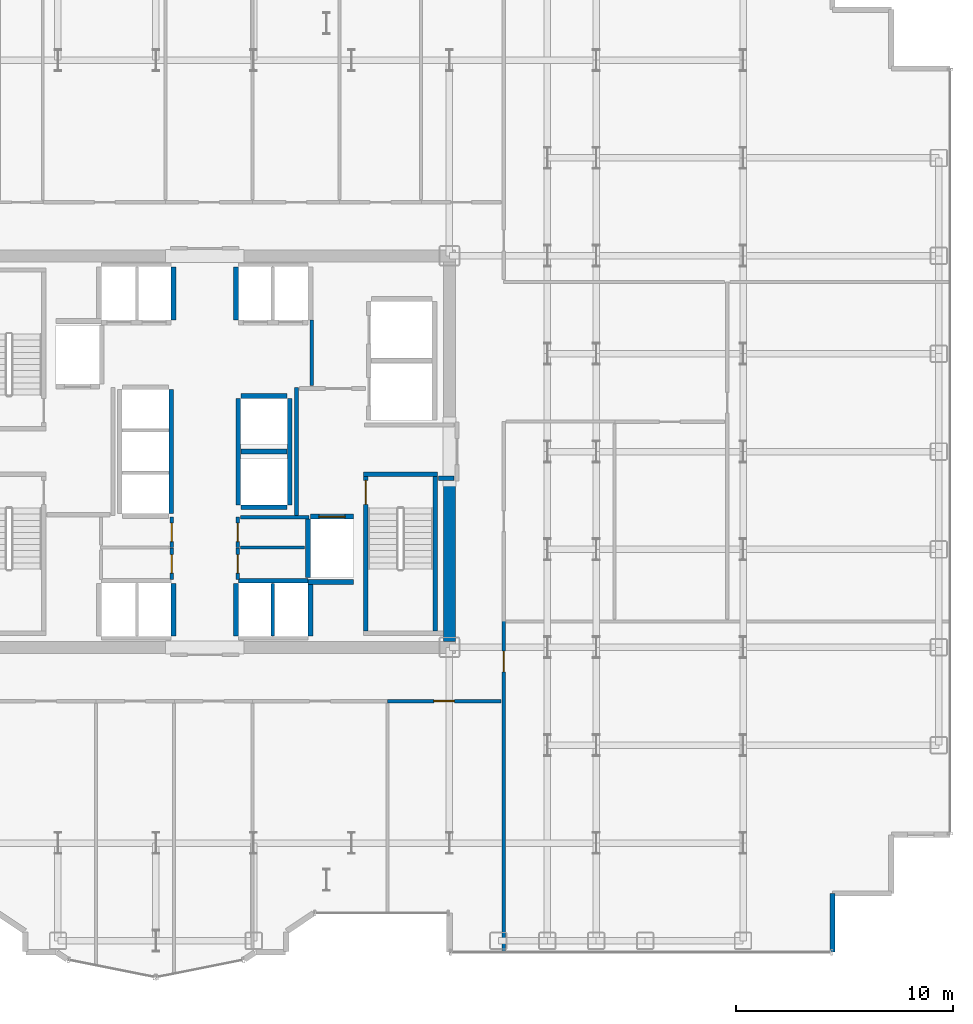
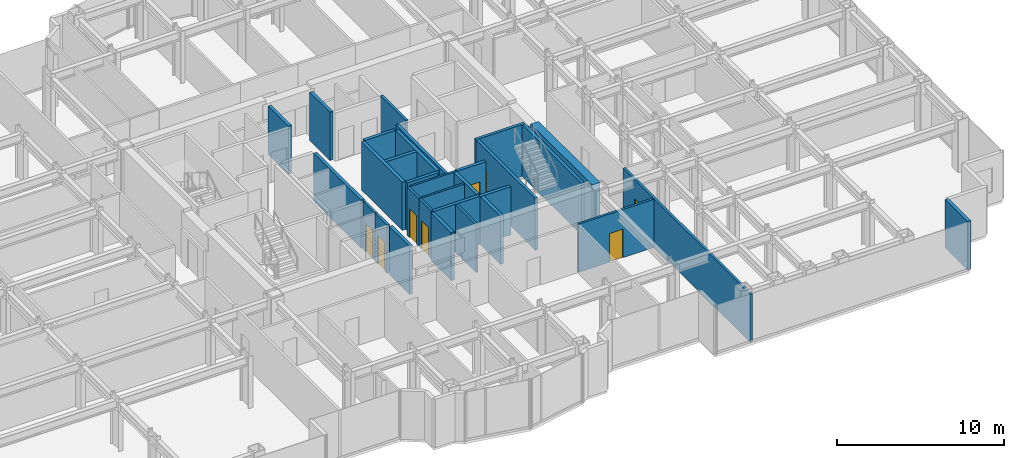
# One storey, part 22 of 26: 32 walls, 8 doors, 8 openings.
"""IFC4 building model written with IfcOpenShell, lengths in metres."""

from ifc_helpers import new_model, si_unit, direction, frame, frame_2d, origin, place, context, subcontext, project, spatial, rectangle, extrude, source, transform, mapped, material, layer, layer_set, type_object, element, fill, save


model = new_model("IFC4")

# Units and contexts
model_context = context("Model", 3, precision=1e-05, world=origin(), true_north=direction((0.0, 1.0)))
body_context = subcontext(model_context, "Body", "Model", "MODEL_VIEW")
ifc_project = project(units=[si_unit("LENGTHUNIT", "METRE"), si_unit("AREAUNIT", "SQUARE_METRE"), si_unit("VOLUMEUNIT", "CUBIC_METRE"), si_unit("PLANEANGLEUNIT", "RADIAN"), si_unit("MASSUNIT", "GRAM", prefix="KILO")], contexts=[model_context])

# Site, building, storey
site_placement = place(None, origin())
site = spatial("IfcSite", under=ifc_project, at=site_placement, CompositionType="ELEMENT")
building_placement = place(site_placement, origin())
building = spatial("IfcBuilding", under=site, at=building_placement, Name="Nefas-Gora Pilgrimage Tower", CompositionType="ELEMENT")
storey_placement = place(building_placement, frame((0.0, 0.0, 121.199951171875)))
storey = spatial("IfcBuildingStorey", under=building, at=storey_placement, Name="L29", CompositionType="ELEMENT", Elevation=121.199951171875)

# Walls
ifc_material_1 = material(Name="Concrete C60/75", Category="concrete")
ifc_layer_1 = layer(ifc_material_1, 0.550048828125)
ifc_layer_set_1 = layer_set([ifc_layer_1], Name="Concrete C60/75")
wall_type_1 = type_object("IfcWallType", Name="SW-CORE-550", PredefinedType="SHEAR", material=ifc_layer_set_1)
shared_shape_1 = source(origin(), body_context, "Body", "SweptSolid", [
    extrude(rectangle(XDim=7.375, YDim=0.550048828125, at=frame_2d((3.6875, 0.0))), origin(), (0.0, 0.0, 1.0), 3.800048828125),
])
wall_1_placement = place(storey_placement, frame((11.25, -8.72509765625, 0.0), z_axis=(0.0, 0.0, 1.0), x_axis=(0.0, 1.0, 0.0)))
element("IfcWall", 1, at=wall_1_placement, inside=storey, type_object=wall_type_1, Name="L29 Core Shear Wall E-South", PredefinedType="SHEAR", context=body_context, shape_type="MappedRepresentation", body=[
    mapped(shared_shape_1, transform((0.0, 0.0, 0.0), x_axis=(1.0, 0.0, 0.0), y_axis=(0.0, 1.0, 0.0), z_axis=(0.0, 0.0, 1.0), scale=1.0)),
])
ifc_material_2 = material(Name="Precast concrete C45/55", Category="concrete")
ifc_layer_2 = layer(ifc_material_2, 0.239990234375)
ifc_layer_set_2 = layer_set([ifc_layer_2], Name="Precast concrete C45/55")
wall_type_2 = type_object("IfcWallType", Name="EW-SERR-240", PredefinedType="SHEAR", material=ifc_layer_set_2)
shared_shape_2 = source(origin(), body_context, "Body", "SweptSolid", [
    extrude(rectangle(XDim=2.699951171875, YDim=0.239990234375, at=frame_2d((1.35009765625, 0.0))), origin(), (0.0, 0.0, 1.0), 3.550048828125),
])
wall_2_placement = place(storey_placement, frame((28.8701171875, -23.02001953125, 0.0), z_axis=(0.0, 0.0, 1.0), x_axis=(0.0, 1.0, 0.0)))
element("IfcWall", 2, at=wall_2_placement, inside=storey, type_object=wall_type_2, Name="L29 Serrated Corner Shear Pier Wall 2", PredefinedType="SHEAR", context=body_context, shape_type="MappedRepresentation", body=[
    mapped(shared_shape_2, transform((0.0, 0.0, 0.0), x_axis=(1.0, 0.0, 0.0), y_axis=(0.0, 1.0, 0.0), z_axis=(0.0, 0.0, 1.0), scale=1.0)),
])
ifc_material_3 = material(Name="Concrete C45/55", Category="concrete")
ifc_layer_3 = layer(ifc_material_3, 0.199951171875)
ifc_layer_set_3 = layer_set([ifc_layer_3], Name="Concrete C45/55")
wall_type_3 = type_object("IfcWallType", Name="IW-STAIR-200", PredefinedType="SOLIDWALL", material=ifc_layer_set_3)
shared_shape_3 = source(origin(), body_context, "Body", "SweptSolid", [
    extrude(rectangle(XDim=3.39990234375, YDim=0.199951171875, at=frame_2d((1.699951171875, 0.0))), origin(), (0.0, 0.0, 1.0), 3.800048828125),
])
wall_3_placement = place(storey_placement, frame((7.300048828125, -1.050048828125, 0.0), z_axis=(0.0, 0.0, 1.0), x_axis=(1.0, 0.0, 0.0)))
element("IfcWall", 3, at=wall_3_placement, inside=storey, type_object=wall_type_3, Name="L29 Stairwell Shear Wall ST-02-near", PredefinedType="SOLIDWALL", context=body_context, shape_type="MappedRepresentation", body=[
    mapped(shared_shape_3, transform((0.0, 0.0, 0.0), x_axis=(1.0, 0.0, 0.0), y_axis=(0.0, 1.0, 0.0), z_axis=(0.0, 0.0, 1.0), scale=1.0)),
])

# Wall, opening, door
shared_shape_4 = source(origin(), body_context, "Body", "SweptSolid", [
    extrude(rectangle(XDim=7.10009765625, YDim=0.199951171875, at=frame_2d((3.550048828125, 0.0))), origin(), (0.0, 0.0, 1.0), 3.800048828125),
])
wall_4_placement = place(storey_placement, frame((7.39990234375, -1.14990234375, 0.0), z_axis=(0.0, 0.0, 1.0), x_axis=(0.0, -1.0, 0.0)))
wall_4 = element("IfcWall", 4, at=wall_4_placement, inside=storey, type_object=wall_type_3, Name="L29 Stairwell Shear Wall ST-02-left", PredefinedType="SOLIDWALL", context=body_context, shape_type="MappedRepresentation", body=[
    mapped(shared_shape_4, transform((0.0, 0.0, 0.0), x_axis=(1.0, 0.0, 0.0), y_axis=(0.0, 1.0, 0.0), z_axis=(0.0, 0.0, 1.0), scale=1.0)),
])
opening_1_placement = place(wall_4_placement, frame((0.179931640625, 0.0, 0.0)))
opening_1 = element("IfcOpeningElement", 5, at=opening_1_placement, cuts=wall_4, Name="Opening ID-ST1", PredefinedType="OPENING", context=body_context, shape_type="SweptSolid", body=[
    extrude(rectangle(XDim=1.10009765625, YDim=2.14990234375, at=frame_2d((0.550048828125, 1.074951171875))), frame((0.0, 0.10986328125, 0.0), z_axis=(0.0, -1.0, 0.0), x_axis=(1.0, 0.0, 0.0)), (0.0, 0.0, 1.0), 0.219970703125),
])
ifc_material_4 = material(Name="Painted galvanised steel fire stair door", Category="steel")
door_type_1 = type_object("IfcDoorType", Name="DR-INT-STAIR-1100", OperationType="NOTDEFINED", PredefinedType="DOOR", material=ifc_material_4)
shared_shape_5 = source(origin(), body_context, "Body", "SweptSolid", [
    extrude(rectangle(XDim=1.10009765625, YDim=2.14990234375, at=frame_2d((0.550048828125, 1.074951171875))), frame((0.0, 0.02490234375, 0.0), z_axis=(0.0, -1.0, 0.0), x_axis=(1.0, 0.0, 0.0)), (0.0, 0.0, 1.0), 0.050048828125),
])
door_1_placement = place(opening_1_placement, origin())
door_1 = element("IfcDoor", 6, at=door_1_placement, inside=storey, type_object=door_type_1, Name="L29 Protected Exit Stair Door ST-02", OperationType="SINGLE_SWING_RIGHT", OverallHeight=2.14990234375, OverallWidth=1.10009765625, PredefinedType="DOOR", context=body_context, shape_type="MappedRepresentation", body=[
    mapped(shared_shape_5, transform((0.0, 0.0, 0.0), x_axis=(1.0, 0.0, 0.0), y_axis=(0.0, 1.0, 0.0), z_axis=(0.0, 0.0, 1.0), scale=1.0)),
])
fill(opening_1, door_1)

# Wall
wall_5_placement = place(storey_placement, frame((10.60009765625, -1.14990234375, 0.0), z_axis=(0.0, 0.0, 1.0), x_axis=(0.0, -1.0, 0.0)))
element("IfcWall", 7, at=wall_5_placement, inside=storey, type_object=wall_type_3, Name="L29 Stairwell Shear Wall ST-02-right", PredefinedType="SOLIDWALL", context=body_context, shape_type="MappedRepresentation", body=[
    mapped(shared_shape_4, transform((0.0, 0.0, 0.0), x_axis=(1.0, 0.0, 0.0), y_axis=(0.0, 1.0, 0.0), z_axis=(0.0, 0.0, 1.0), scale=1.0)),
])

# Wall, opening, door
ifc_material_5 = material(Name="Concrete C40/50", Category="concrete")
ifc_layer_4 = layer(ifc_material_5, 0.219970703125)
ifc_layer_set_4 = layer_set([ifc_layer_4], Name="Concrete C40/50")
wall_type_4 = type_object("IfcWallType", Name="IW-SHAFT-220", PredefinedType="SOLIDWALL", material=ifc_layer_set_4)
shared_shape_6 = source(origin(), body_context, "Body", "SweptSolid", [
    extrude(rectangle(XDim=2.0, YDim=0.219970703125, at=frame_2d((1.0, 0.0))), origin(), (0.0, 0.0, 1.0), 3.53515625),
])
wall_6_placement = place(storey_placement, frame((6.85009765625, -2.989990234375, 0.0), z_axis=(0.0, 0.0, 1.0), x_axis=(-1.0, 0.0, 0.0)))
wall_6 = element("IfcWall", 8, at=wall_6_placement, inside=storey, type_object=wall_type_4, Name="L29 Hoistway Wall FFL-02-N", PredefinedType="SOLIDWALL", context=body_context, shape_type="MappedRepresentation", body=[
    mapped(shared_shape_6, transform((0.0, 0.0, 0.0), x_axis=(1.0, 0.0, 0.0), y_axis=(0.0, 1.0, 0.0), z_axis=(0.0, 0.0, 1.0), scale=1.0)),
])
opening_2_placement = place(wall_6_placement, frame((0.39990234375, 0.0, 0.0)))
opening_2 = element("IfcOpeningElement", 9, at=opening_2_placement, cuts=wall_6, Name="Opening LD-FF", PredefinedType="OPENING", context=body_context, shape_type="SweptSolid", body=[
    extrude(rectangle(XDim=1.199951171875, YDim=2.199951171875, at=frame_2d((0.60009765625, 1.10009765625))), frame((0.0, 0.119873046875, 0.0), z_axis=(0.0, -1.0, 0.0), x_axis=(1.0, 0.0, 0.0)), (0.0, 0.0, 1.0), 0.239990234375),
])
ifc_material_6 = material(Name="Fire-service sliding lift landing door")
door_type_2 = type_object("IfcDoorType", Name="DR-LIFT-FSAE-1200", OperationType="SLIDING_TO_LEFT", PredefinedType="DOOR", material=ifc_material_6)
shared_shape_7 = source(origin(), body_context, "Body", "SweptSolid", [
    extrude(rectangle(XDim=1.199951171875, YDim=2.199951171875, at=frame_2d((0.60009765625, 1.10009765625))), frame((0.0, 0.02490234375, 0.0), z_axis=(0.0, -1.0, 0.0), x_axis=(1.0, 0.0, 0.0)), (0.0, 0.0, 1.0), 0.050048828125),
])
door_2_placement = place(opening_2_placement, origin())
door_2 = element("IfcDoor", 10, at=door_2_placement, inside=storey, type_object=door_type_2, Name="L29 Sliding Lift Landing Door FFL-02", OperationType="SLIDING_TO_LEFT", OverallHeight=2.199951171875, OverallWidth=1.199951171875, PredefinedType="DOOR", context=body_context, shape_type="MappedRepresentation", body=[
    mapped(shared_shape_7, transform((0.0, 0.0, 0.0), x_axis=(1.0, 0.0, 0.0), y_axis=(0.0, 1.0, 0.0), z_axis=(0.0, 0.0, 1.0), scale=1.0)),
])
fill(opening_2, door_2)

# Walls
shared_shape_8 = source(origin(), body_context, "Body", "SweptSolid", [
    extrude(rectangle(XDim=2.679931640625, YDim=0.219970703125, at=frame_2d((1.33984375, 0.0))), origin(), (0.0, 0.0, 1.0), 3.53515625),
])
wall_7_placement = place(storey_placement, frame((4.739990234375, -3.110107421875, 0.0), z_axis=(0.0, 0.0, 1.0), x_axis=(0.0, -1.0, 0.0)))
element("IfcWall", 11, at=wall_7_placement, inside=storey, type_object=wall_type_4, Name="L29 Hoistway Wall FFL-02-W", PredefinedType="SOLIDWALL", context=body_context, shape_type="MappedRepresentation", body=[
    mapped(shared_shape_8, transform((0.0, 0.0, 0.0), x_axis=(1.0, 0.0, 0.0), y_axis=(0.0, 1.0, 0.0), z_axis=(0.0, 0.0, 1.0), scale=1.0)),
])
shared_shape_9 = source(origin(), body_context, "Body", "SweptSolid", [
    extrude(rectangle(XDim=3.199951171875, YDim=0.219970703125, at=frame_2d((1.60009765625, 0.0))), origin(), (0.0, 0.0, 1.0), 3.53515625),
])
wall_8_placement = place(storey_placement, frame((4.75, -5.93994140625, 0.0), z_axis=(0.0, 0.0, 1.0), x_axis=(-1.0, 0.0, 0.0)))
element("IfcWall", 12, at=wall_8_placement, inside=storey, type_object=wall_type_4, Name="L29 Hoistway Wall PL2-E-N", PredefinedType="SOLIDWALL", context=body_context, shape_type="MappedRepresentation", body=[
    mapped(shared_shape_9, transform((0.0, 0.0, 0.0), x_axis=(1.0, 0.0, 0.0), y_axis=(0.0, 1.0, 0.0), z_axis=(0.0, 0.0, 1.0), scale=1.0)),
])
shared_shape_10 = source(origin(), body_context, "Body", "SweptSolid", [
    extrude(rectangle(XDim=2.429931640625, YDim=0.219970703125, at=frame_2d((1.21484375, 0.0))), origin(), (0.0, 0.0, 1.0), 3.53515625),
])
for number, where, z_axis, x_axis, name in (
    (13, (-1.43994140625, 6.06005859375, 0.0), (0.0, 0.0, 1.0), (0.0, 1.0, 0.0), "L29 Hoistway Wall PL1-W-E"),
    (14, (1.43994140625, 8.489990234375, 0.0), (0.0, 0.0, 1.0), (0.0, -1.0, 0.0), "L29 Hoistway Wall PL1-E-W"),
    (15, (-1.43994140625, -8.489990234375, 0.0), (0.0, 0.0, 1.0), (0.0, 1.0, 0.0), "L29 Hoistway Wall PL2-W-E"),
    (16, (1.43994140625, -6.06005859375, 0.0), (0.0, 0.0, 1.0), (0.0, -1.0, 0.0), "L29 Hoistway Wall PL2-E-W"),
    (17, (4.860107421875, -8.489990234375, 0.0), (0.0, 0.0, 1.0), (0.0, 1.0, 0.0), "L29 Hoistway Wall PL2-E-E"),
):
    element("IfcWall", number, at=place(storey_placement, frame(where, z_axis=z_axis, x_axis=x_axis)), inside=storey, type_object=wall_type_4, Name=name, PredefinedType="SOLIDWALL", context=body_context, shape_type="MappedRepresentation", body=[
        mapped(shared_shape_10, transform((0.0, 0.0, 0.0), x_axis=(1.0, 0.0, 0.0), y_axis=(0.0, 1.0, 0.0), z_axis=(0.0, 0.0, 1.0), scale=1.0)),
    ])
ifc_material_7 = material(Name="Gypsum twin-stud partition")
ifc_layer_5 = layer(ifc_material_7, 0.139892578125)
ifc_layer_set_5 = layer_set([ifc_layer_5], Name="Gypsum twin-stud partition")
wall_type_5 = type_object("IfcWallType", Name="IW-UNIT-140", PredefinedType="PARTITIONING", material=ifc_layer_set_5)
shared_shape_11 = source(origin(), body_context, "Body", "SweptSolid", [
    extrude(rectangle(XDim=2.429931640625, YDim=0.139892578125, at=frame_2d((1.21484375, 0.0))), origin(), (0.0, 0.0, 1.0), 3.53515625),
])
wall_9_placement = place(storey_placement, frame((3.125, -8.489990234375, 0.0), z_axis=(0.0, 0.0, 1.0), x_axis=(0.0, 1.0, 0.0)))
element("IfcWall", 18, at=wall_9_placement, inside=storey, type_object=wall_type_5, Name="L29 Hoistway Wall PL2-E-DIV", PredefinedType="PARTITIONING", context=body_context, shape_type="MappedRepresentation", body=[
    mapped(shared_shape_11, transform((0.0, 0.0, 0.0), x_axis=(1.0, 0.0, 0.0), y_axis=(0.0, 1.0, 0.0), z_axis=(0.0, 0.0, 1.0), scale=1.0)),
])
shared_shape_12 = source(origin(), body_context, "Body", "SweptSolid", [
    extrude(rectangle(XDim=5.7001953125, YDim=0.219970703125, at=frame_2d((2.85009765625, 0.0))), origin(), (0.0, 0.0, 1.0), 3.53515625),
])
wall_10_placement = place(storey_placement, frame((-1.5400390625, -2.85009765625, 0.0), z_axis=(0.0, 0.0, 1.0), x_axis=(0.0, 1.0, 0.0)))
element("IfcWall", 19, at=wall_10_placement, inside=storey, type_object=wall_type_4, Name="L29 Hoistway Wall PL3-01-03-E", PredefinedType="SOLIDWALL", context=body_context, shape_type="MappedRepresentation", body=[
    mapped(shared_shape_12, transform((0.0, 0.0, 0.0), x_axis=(1.0, 0.0, 0.0), y_axis=(0.0, 1.0, 0.0), z_axis=(0.0, 0.0, 1.0), scale=1.0)),
])
shared_shape_13 = source(origin(), body_context, "Body", "SweptSolid", [
    extrude(rectangle(XDim=2.130126953125, YDim=0.219970703125, at=frame_2d((1.06494140625, 0.0))), origin(), (0.0, 0.0, 1.0), 3.53515625),
])
for number, where, z_axis, x_axis, name in (
    (20, (1.659912109375, -2.56005859375, 0.0), (0.0, 0.0, 1.0), (1.0, 0.0, 0.0), "L29 Hoistway Wall OBS-01-S"),
    (21, (1.659912109375, 0.0, 0.0), (0.0, 0.0, 1.0), (1.0, 0.0, 0.0), "L29 Hoistway Wall OBS-01-02-DIV"),
    (22, (3.7900390625, 2.56005859375, 0.0), (0.0, 0.0, 1.0), (-1.0, 0.0, 0.0), "L29 Hoistway Wall OBS-02-N"),
):
    element("IfcWall", number, at=place(storey_placement, frame(where, z_axis=z_axis, x_axis=x_axis)), inside=storey, type_object=wall_type_4, Name=name, PredefinedType="SOLIDWALL", context=body_context, shape_type="MappedRepresentation", body=[
        mapped(shared_shape_13, transform((0.0, 0.0, 0.0), x_axis=(1.0, 0.0, 0.0), y_axis=(0.0, 1.0, 0.0), z_axis=(0.0, 0.0, 1.0), scale=1.0)),
    ])
shared_shape_14 = source(origin(), body_context, "Body", "SweptSolid", [
    extrude(rectangle(XDim=4.89990234375, YDim=0.219970703125, at=frame_2d((2.449951171875, 0.0))), origin(), (0.0, 0.0, 1.0), 3.53515625),
])
for number, where, z_axis, x_axis, name in (
    (23, (1.5400390625, 2.449951171875, 0.0), (0.0, 0.0, 1.0), (0.0, -1.0, 0.0), "L29 Hoistway Wall OBS-01-02-W"),
    (24, (3.909912109375, -2.449951171875, 0.0), (0.0, 0.0, 1.0), (0.0, 1.0, 0.0), "L29 Hoistway Wall OBS-01-02-E"),
):
    element("IfcWall", number, at=place(storey_placement, frame(where, z_axis=z_axis, x_axis=x_axis)), inside=storey, type_object=wall_type_4, Name=name, PredefinedType="SOLIDWALL", context=body_context, shape_type="MappedRepresentation", body=[
        mapped(shared_shape_14, transform((0.0, 0.0, 0.0), x_axis=(1.0, 0.0, 0.0), y_axis=(0.0, 1.0, 0.0), z_axis=(0.0, 0.0, 1.0), scale=1.0)),
    ])
shared_shape_15 = source(origin(), body_context, "Body", "SweptSolid", [
    extrude(rectangle(XDim=2.09521484375, YDim=0.219970703125, at=frame_2d((1.047607421875, 0.0))), origin(), (0.0, 0.0, 1.0), 3.53515625),
])
wall_11_placement = place(storey_placement, frame((4.7548828125, -6.0, 0.0), z_axis=(0.0, 0.0, 1.0), x_axis=(1.0, 0.0, 0.0)))
element("IfcWall", 25, at=wall_11_placement, inside=storey, type_object=wall_type_4, Name="L29 Riser Shaft Wall 2", PredefinedType="SOLIDWALL", context=body_context, shape_type="MappedRepresentation", body=[
    mapped(shared_shape_15, transform((0.0, 0.0, 0.0), x_axis=(1.0, 0.0, 0.0), y_axis=(0.0, 1.0, 0.0), z_axis=(0.0, 0.0, 1.0), scale=1.0)),
])
ifc_material_8 = material(Name="Gypsum fire-rated shaftwall")
ifc_layer_6 = layer(ifc_material_8, 0.199951171875)
ifc_layer_set_6 = layer_set([ifc_layer_6], Name="Gypsum fire-rated shaftwall")
wall_type_6 = type_object("IfcWallType", Name="IW-FFLOB-200", PredefinedType="PARTITIONING", material=ifc_layer_set_6)
shared_shape_16 = source(origin(), body_context, "Body", "SweptSolid", [
    extrude(rectangle(XDim=5.89990234375, YDim=0.199951171875, at=frame_2d((2.949951171875, 0.0))), origin(), (0.0, 0.0, 1.0), 3.53515625),
])
wall_12_placement = place(storey_placement, frame((4.219970703125, -2.949951171875, 0.0), z_axis=(0.0, 0.0, 1.0), x_axis=(0.0, 1.0, 0.0)))
element("IfcWall", 26, at=wall_12_placement, inside=storey, type_object=wall_type_6, Name="L29 FF Lobby East Inner Wall Wall 9", PredefinedType="PARTITIONING", context=body_context, shape_type="MappedRepresentation", body=[
    mapped(shared_shape_16, transform((0.0, 0.0, 0.0), x_axis=(1.0, 0.0, 0.0), y_axis=(0.0, 1.0, 0.0), z_axis=(0.0, 0.0, 1.0), scale=1.0)),
])
shared_shape_17 = source(origin(), body_context, "Body", "SweptSolid", [
    extrude(rectangle(XDim=0.719970703125, YDim=0.199951171875, at=frame_2d((0.35986328125, 0.0))), origin(), (0.0, 0.0, 1.0), 3.53515625),
])
wall_13_placement = place(storey_placement, frame((10.739990234375, -1.219970703125, 0.0), z_axis=(0.0, 0.0, 1.0), x_axis=(1.0, 0.0, 0.0)))
element("IfcWall", 27, at=wall_13_placement, inside=storey, type_object=wall_type_6, Name="L29 FF Lobby East Throat S Wall 12", PredefinedType="PARTITIONING", context=body_context, shape_type="MappedRepresentation", body=[
    mapped(shared_shape_17, transform((0.0, 0.0, 0.0), x_axis=(1.0, 0.0, 0.0), y_axis=(0.0, 1.0, 0.0), z_axis=(0.0, 0.0, 1.0), scale=1.0)),
])
ifc_material_9 = material(Name="Gypsum acoustic stud partition")
ifc_layer_7 = layer(ifc_material_9, 0.159912109375)
ifc_layer_set_7 = layer_set([ifc_layer_7], Name="Gypsum acoustic stud partition")
wall_type_7 = type_object("IfcWallType", Name="IW-CORR-160", PredefinedType="PARTITIONING", material=ifc_layer_set_7)
shared_shape_18 = source(origin(), body_context, "Body", "SweptSolid", [
    extrude(rectangle(XDim=3.014892578125, YDim=0.159912109375, at=frame_2d((1.50732421875, 0.0))), origin(), (0.0, 0.0, 1.0), 3.53515625),
])
wall_14_placement = place(storey_placement, frame((4.919921875, 3.0400390625, 0.0), z_axis=(0.0, 0.0, 1.0), x_axis=(0.0, 1.0, 0.0)))
element("IfcWall", 28, at=wall_14_placement, inside=storey, type_object=wall_type_7, Name="L29 Service Lift Lobby West Wall Wall 15", PredefinedType="PARTITIONING", context=body_context, shape_type="MappedRepresentation", body=[
    mapped(shared_shape_18, transform((0.0, 0.0, 0.0), x_axis=(1.0, 0.0, 0.0), y_axis=(0.0, 1.0, 0.0), z_axis=(0.0, 0.0, 1.0), scale=1.0)),
])

# Wall, opening, door
shared_shape_19 = source(origin(), body_context, "Body", "SweptSolid", [
    extrude(rectangle(XDim=1.409912109375, YDim=0.159912109375, at=frame_2d((0.705078125, 0.0))), origin(), (0.0, 0.0, 1.0), 3.53515625),
])
wall_15_placement = place(storey_placement, frame((-1.52001953125, -4.419921875, 0.0), z_axis=(0.0, 0.0, 1.0), x_axis=(0.0, 1.0, 0.0)))
wall_15 = element("IfcWall", 29, at=wall_15_placement, inside=storey, type_object=wall_type_7, Name="L29 Housekeeping and Linen Store Wall 16", PredefinedType="PARTITIONING", context=body_context, shape_type="MappedRepresentation", body=[
    mapped(shared_shape_19, transform((0.0, 0.0, 0.0), x_axis=(1.0, 0.0, 0.0), y_axis=(0.0, 1.0, 0.0), z_axis=(0.0, 0.0, 1.0), scale=1.0)),
])
opening_3_placement = place(wall_15_placement, frame((0.280029296875, 0.0, 0.0)))
opening_3 = element("IfcOpeningElement", 30, at=opening_3_placement, cuts=wall_15, Name="Opening ID-BT1", PredefinedType="OPENING", context=body_context, shape_type="SweptSolid", body=[
    extrude(rectangle(XDim=0.85009765625, YDim=2.10009765625, at=frame_2d((0.425048828125, 1.050048828125))), frame((0.0, 0.08984375, 0.0), z_axis=(0.0, -1.0, 0.0), x_axis=(1.0, 0.0, 0.0)), (0.0, 0.0, 1.0), 0.179931640625),
])
ifc_material_10 = material(Name="Moisture-resistant fire-rated timber door", Category="wood")
door_type_3 = type_object("IfcDoorType", Name="DR-INT-BATH-850", OperationType="NOTDEFINED", PredefinedType="DOOR", material=ifc_material_10)
shared_shape_20 = source(origin(), body_context, "Body", "SweptSolid", [
    extrude(rectangle(XDim=0.85009765625, YDim=2.10009765625, at=frame_2d((0.425048828125, 1.050048828125))), frame((0.0, 0.02490234375, 0.0), z_axis=(0.0, -1.0, 0.0), x_axis=(1.0, 0.0, 0.0)), (0.0, 0.0, 1.0), 0.050048828125),
])
door_3_placement = place(opening_3_placement, origin())
door_3 = element("IfcDoor", 31, at=door_3_placement, inside=storey, type_object=door_type_3, Name="L29 Housekeeping and Linen Store Door 6", OperationType="SINGLE_SWING_RIGHT", OverallHeight=2.10009765625, OverallWidth=0.85009765625, PredefinedType="DOOR", context=body_context, shape_type="MappedRepresentation", body=[
    mapped(shared_shape_20, transform((0.0, 0.0, 0.0), x_axis=(1.0, 0.0, 0.0), y_axis=(0.0, 1.0, 0.0), z_axis=(0.0, 0.0, 1.0), scale=1.0)),
])
fill(opening_3, door_3)

wall_16_placement = place(storey_placement, frame((1.52001953125, -4.419921875, 0.0), z_axis=(0.0, 0.0, 1.0), x_axis=(0.0, 1.0, 0.0)))
wall_16 = element("IfcWall", 32, at=wall_16_placement, inside=storey, type_object=wall_type_7, Name="L29 Clean Blanket and Robe Store Wall 21", PredefinedType="PARTITIONING", context=body_context, shape_type="MappedRepresentation", body=[
    mapped(shared_shape_19, transform((0.0, 0.0, 0.0), x_axis=(1.0, 0.0, 0.0), y_axis=(0.0, 1.0, 0.0), z_axis=(0.0, 0.0, 1.0), scale=1.0)),
])
opening_4_placement = place(wall_16_placement, frame((0.280029296875, 0.0, 0.0)))
opening_4 = element("IfcOpeningElement", 33, at=opening_4_placement, cuts=wall_16, Name="Opening ID-BT1", PredefinedType="OPENING", context=body_context, shape_type="SweptSolid", body=[
    extrude(rectangle(XDim=0.85009765625, YDim=2.10009765625, at=frame_2d((0.425048828125, 1.050048828125))), frame((0.0, 0.08984375, 0.0), z_axis=(0.0, -1.0, 0.0), x_axis=(1.0, 0.0, 0.0)), (0.0, 0.0, 1.0), 0.179931640625),
])
door_4_placement = place(opening_4_placement, origin())
door_4 = element("IfcDoor", 34, at=door_4_placement, inside=storey, type_object=door_type_3, Name="L29 Clean Blanket and Robe Store Door 8", OperationType="SINGLE_SWING_RIGHT", OverallHeight=2.10009765625, OverallWidth=0.85009765625, PredefinedType="DOOR", context=body_context, shape_type="MappedRepresentation", body=[
    mapped(shared_shape_20, transform((0.0, 0.0, 0.0), x_axis=(1.0, 0.0, 0.0), y_axis=(0.0, 1.0, 0.0), z_axis=(0.0, 0.0, 1.0), scale=1.0)),
])
fill(opening_4, door_4)

# Wall
shared_shape_21 = source(origin(), body_context, "Body", "SweptSolid", [
    extrude(rectangle(XDim=3.150146484375, YDim=0.139892578125, at=frame_2d((1.5751953125, 0.0))), origin(), (0.0, 0.0, 1.0), 3.53515625),
])
wall_17_placement = place(storey_placement, frame((1.639892578125, -3.02001953125, 0.0), z_axis=(0.0, 0.0, 1.0), x_axis=(1.0, 0.0, 0.0)))
element("IfcWall", 35, at=wall_17_placement, inside=storey, type_object=wall_type_5, Name="L29 Clean Blanket and Robe Store Partition Wall 22", PredefinedType="PARTITIONING", context=body_context, shape_type="MappedRepresentation", body=[
    mapped(shared_shape_21, transform((0.0, 0.0, 0.0), x_axis=(1.0, 0.0, 0.0), y_axis=(0.0, 1.0, 0.0), z_axis=(0.0, 0.0, 1.0), scale=1.0)),
])

# Wall, opening, door
shared_shape_22 = source(origin(), body_context, "Body", "SweptSolid", [
    extrude(rectangle(XDim=1.449951171875, YDim=0.159912109375, at=frame_2d((0.72509765625, 0.0))), origin(), (0.0, 0.0, 1.0), 3.53515625),
])
wall_18_placement = place(storey_placement, frame((-1.52001953125, -5.889892578125, 0.0), z_axis=(0.0, 0.0, 1.0), x_axis=(0.0, 1.0, 0.0)))
wall_18 = element("IfcWall", 36, at=wall_18_placement, inside=storey, type_object=wall_type_7, Name="L29 Guest Self-Service Laundry Room Wall 19", PredefinedType="PARTITIONING", context=body_context, shape_type="MappedRepresentation", body=[
    mapped(shared_shape_22, transform((0.0, 0.0, 0.0), x_axis=(1.0, 0.0, 0.0), y_axis=(0.0, 1.0, 0.0), z_axis=(0.0, 0.0, 1.0), scale=1.0)),
])
opening_5_placement = place(wall_18_placement, frame((0.300048828125, 0.0, 0.0)))
opening_5 = element("IfcOpeningElement", 37, at=opening_5_placement, cuts=wall_18, Name="Opening ID-BT1", PredefinedType="OPENING", context=body_context, shape_type="SweptSolid", body=[
    extrude(rectangle(XDim=0.85009765625, YDim=2.10009765625, at=frame_2d((0.425048828125, 1.050048828125))), frame((0.0, 0.08984375, 0.0), z_axis=(0.0, -1.0, 0.0), x_axis=(1.0, 0.0, 0.0)), (0.0, 0.0, 1.0), 0.179931640625),
])
door_5_placement = place(opening_5_placement, origin())
door_5 = element("IfcDoor", 38, at=door_5_placement, inside=storey, type_object=door_type_3, Name="L29 Guest Self-Service Laundry Room Door 7", OperationType="SINGLE_SWING_LEFT", OverallHeight=2.10009765625, OverallWidth=0.85009765625, PredefinedType="DOOR", context=body_context, shape_type="MappedRepresentation", body=[
    mapped(shared_shape_20, transform((0.0, 0.0, 0.0), x_axis=(1.0, 0.0, 0.0), y_axis=(0.0, 1.0, 0.0), z_axis=(0.0, 0.0, 1.0), scale=1.0)),
])
fill(opening_5, door_5)

wall_19_placement = place(storey_placement, frame((1.52001953125, -5.889892578125, 0.0), z_axis=(0.0, 0.0, 1.0), x_axis=(0.0, 1.0, 0.0)))
wall_19 = element("IfcWall", 39, at=wall_19_placement, inside=storey, type_object=wall_type_7, Name="L29 Core Amenity Supply Store Wall 24", PredefinedType="PARTITIONING", context=body_context, shape_type="MappedRepresentation", body=[
    mapped(shared_shape_22, transform((0.0, 0.0, 0.0), x_axis=(1.0, 0.0, 0.0), y_axis=(0.0, 1.0, 0.0), z_axis=(0.0, 0.0, 1.0), scale=1.0)),
])
opening_6_placement = place(wall_19_placement, frame((0.300048828125, 0.0, 0.0)))
opening_6 = element("IfcOpeningElement", 40, at=opening_6_placement, cuts=wall_19, Name="Opening ID-BT1", PredefinedType="OPENING", context=body_context, shape_type="SweptSolid", body=[
    extrude(rectangle(XDim=0.85009765625, YDim=2.10009765625, at=frame_2d((0.425048828125, 1.050048828125))), frame((0.0, 0.08984375, 0.0), z_axis=(0.0, -1.0, 0.0), x_axis=(1.0, 0.0, 0.0)), (0.0, 0.0, 1.0), 0.179931640625),
])
door_6_placement = place(opening_6_placement, origin())
door_6 = element("IfcDoor", 41, at=door_6_placement, inside=storey, type_object=door_type_3, Name="L29 Core Amenity Supply Store Door 9", OperationType="SINGLE_SWING_LEFT", OverallHeight=2.10009765625, OverallWidth=0.85009765625, PredefinedType="DOOR", context=body_context, shape_type="MappedRepresentation", body=[
    mapped(shared_shape_20, transform((0.0, 0.0, 0.0), x_axis=(1.0, 0.0, 0.0), y_axis=(0.0, 1.0, 0.0), z_axis=(0.0, 0.0, 1.0), scale=1.0)),
])
fill(opening_6, door_6)

# Wall
shared_shape_23 = source(origin(), body_context, "Body", "SweptSolid", [
    extrude(rectangle(XDim=2.9501953125, YDim=0.139892578125, at=frame_2d((1.47509765625, 0.0))), origin(), (0.0, 0.0, 1.0), 3.53515625),
])
wall_20_placement = place(storey_placement, frame((1.639892578125, -4.409912109375, 0.0), z_axis=(0.0, 0.0, 1.0), x_axis=(1.0, 0.0, 0.0)))
element("IfcWall", 42, at=wall_20_placement, inside=storey, type_object=wall_type_5, Name="L29 Clean Blanket and Robe Store Partition Wall 23", PredefinedType="PARTITIONING", context=body_context, shape_type="MappedRepresentation", body=[
    mapped(shared_shape_23, transform((0.0, 0.0, 0.0), x_axis=(1.0, 0.0, 0.0), y_axis=(0.0, 1.0, 0.0), z_axis=(0.0, 0.0, 1.0), scale=1.0)),
])

# Wall, opening, door
shared_shape_24 = source(origin(), body_context, "Body", "SweptSolid", [
    extrude(rectangle(XDim=5.22509765625, YDim=0.159912109375, at=frame_2d((2.612548828125, 0.0))), origin(), (0.0, 0.0, 1.0), 3.53515625),
])
wall_21_placement = place(storey_placement, frame((8.39501953125, -11.469970703125, 0.0), z_axis=(0.0, 0.0, 1.0), x_axis=(1.0, 0.0, 0.0)))
wall_21 = element("IfcWall", 43, at=wall_21_placement, inside=storey, type_object=wall_type_7, Name="L29 Pilgrim Contemplative Lounge Partition Wall 69", PredefinedType="PARTITIONING", context=body_context, shape_type="MappedRepresentation", body=[
    mapped(shared_shape_24, transform((0.0, 0.0, 0.0), x_axis=(1.0, 0.0, 0.0), y_axis=(0.0, 1.0, 0.0), z_axis=(0.0, 0.0, 1.0), scale=1.0)),
])
opening_7_placement = place(wall_21_placement, frame((2.137451171875, 0.0, 0.0)))
opening_7 = element("IfcOpeningElement", 44, at=opening_7_placement, cuts=wall_21, Name="Opening ID-GR1", PredefinedType="OPENING", context=body_context, shape_type="SweptSolid", body=[
    extrude(rectangle(XDim=0.949951171875, YDim=2.10009765625, at=frame_2d((0.47509765625, 1.050048828125))), frame((0.0, 0.08984375, 0.0), z_axis=(0.0, -1.0, 0.0), x_axis=(1.0, 0.0, 0.0)), (0.0, 0.0, 1.0), 0.179931640625),
])
ifc_material_11 = material(Name="Solid core oak fire-rated guest entrance door")
door_type_4 = type_object("IfcDoorType", Name="DR-INT-GUEST-950", OperationType="NOTDEFINED", PredefinedType="DOOR", material=ifc_material_11)
shared_shape_25 = source(origin(), body_context, "Body", "SweptSolid", [
    extrude(rectangle(XDim=0.949951171875, YDim=2.10009765625, at=frame_2d((0.47509765625, 1.050048828125))), frame((0.0, 0.02490234375, 0.0), z_axis=(0.0, -1.0, 0.0), x_axis=(1.0, 0.0, 0.0)), (0.0, 0.0, 1.0), 0.050048828125),
])
door_7_placement = place(opening_7_placement, origin())
door_7 = element("IfcDoor", 45, at=door_7_placement, inside=storey, type_object=door_type_4, Name="L29 Pilgrim Contemplative Lounge Door 33", OperationType="SINGLE_SWING_LEFT", OverallHeight=2.10009765625, OverallWidth=0.949951171875, PredefinedType="DOOR", context=body_context, shape_type="MappedRepresentation", body=[
    mapped(shared_shape_25, transform((0.0, 0.0, 0.0), x_axis=(1.0, 0.0, 0.0), y_axis=(0.0, 1.0, 0.0), z_axis=(0.0, 0.0, 1.0), scale=1.0)),
])
fill(opening_7, door_7)

shared_shape_26 = source(origin(), body_context, "Body", "SweptSolid", [
    extrude(rectangle(XDim=15.2451171875, YDim=0.159912109375, at=frame_2d((7.62255859375, 0.0))), origin(), (0.0, 0.0, 1.0), 3.53515625),
])
wall_22_placement = place(storey_placement, frame((13.739990234375, -23.0400390625, 0.0), z_axis=(0.0, 0.0, 1.0), x_axis=(0.0, 1.0, 0.0)))
wall_22 = element("IfcWall", 46, at=wall_22_placement, inside=storey, type_object=wall_type_7, Name="L29 Pilgrim Fellowship Seminar Room Partition Wall 39", PredefinedType="PARTITIONING", context=body_context, shape_type="MappedRepresentation", body=[
    mapped(shared_shape_26, transform((0.0, 0.0, 0.0), x_axis=(1.0, 0.0, 0.0), y_axis=(0.0, 1.0, 0.0), z_axis=(0.0, 0.0, 1.0), scale=1.0)),
])
opening_8_placement = place(wall_22_placement, frame((12.91259765625, 0.0, 0.0)))
opening_8 = element("IfcOpeningElement", 47, at=opening_8_placement, cuts=wall_22, Name="Opening ID-GR1", PredefinedType="OPENING", context=body_context, shape_type="SweptSolid", body=[
    extrude(rectangle(XDim=0.949951171875, YDim=2.10009765625, at=frame_2d((0.47509765625, 1.050048828125))), frame((0.0, 0.08984375, 0.0), z_axis=(0.0, -1.0, 0.0), x_axis=(1.0, 0.0, 0.0)), (0.0, 0.0, 1.0), 0.179931640625),
])
door_8_placement = place(opening_8_placement, origin())
door_8 = element("IfcDoor", 48, at=door_8_placement, inside=storey, type_object=door_type_4, Name="L29 Pilgrim Fellowship Seminar Room Door 17", OperationType="SINGLE_SWING_LEFT", OverallHeight=2.10009765625, OverallWidth=0.949951171875, PredefinedType="DOOR", context=body_context, shape_type="MappedRepresentation", body=[
    mapped(shared_shape_25, transform((0.0, 0.0, 0.0), x_axis=(1.0, 0.0, 0.0), y_axis=(0.0, 1.0, 0.0), z_axis=(0.0, 0.0, 1.0), scale=1.0)),
])
fill(opening_8, door_8)

save(model, "model.ifc")
